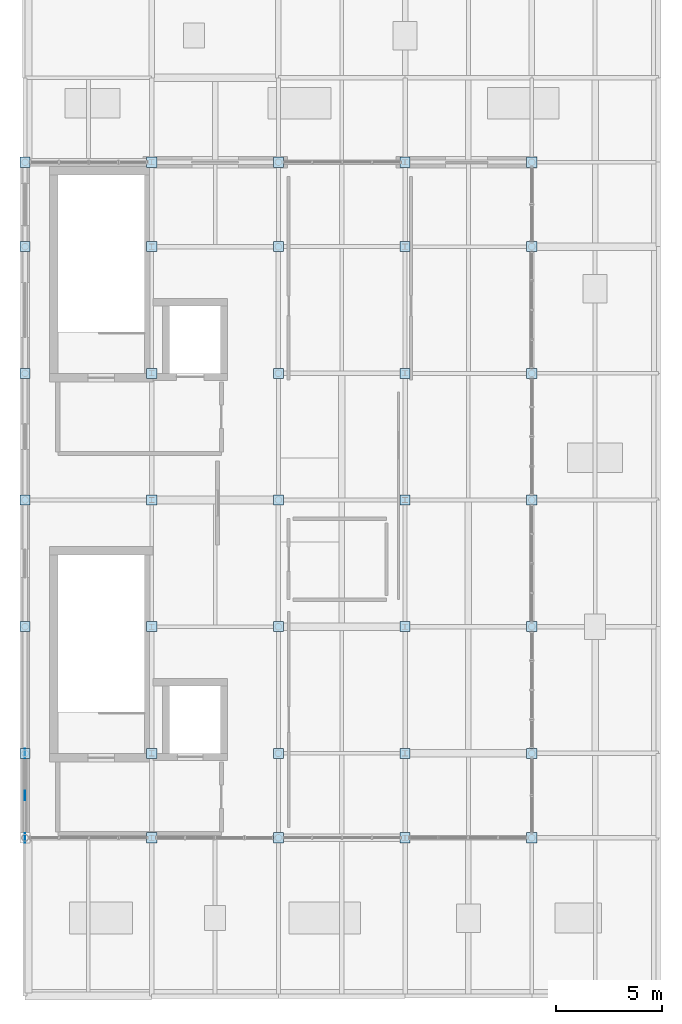
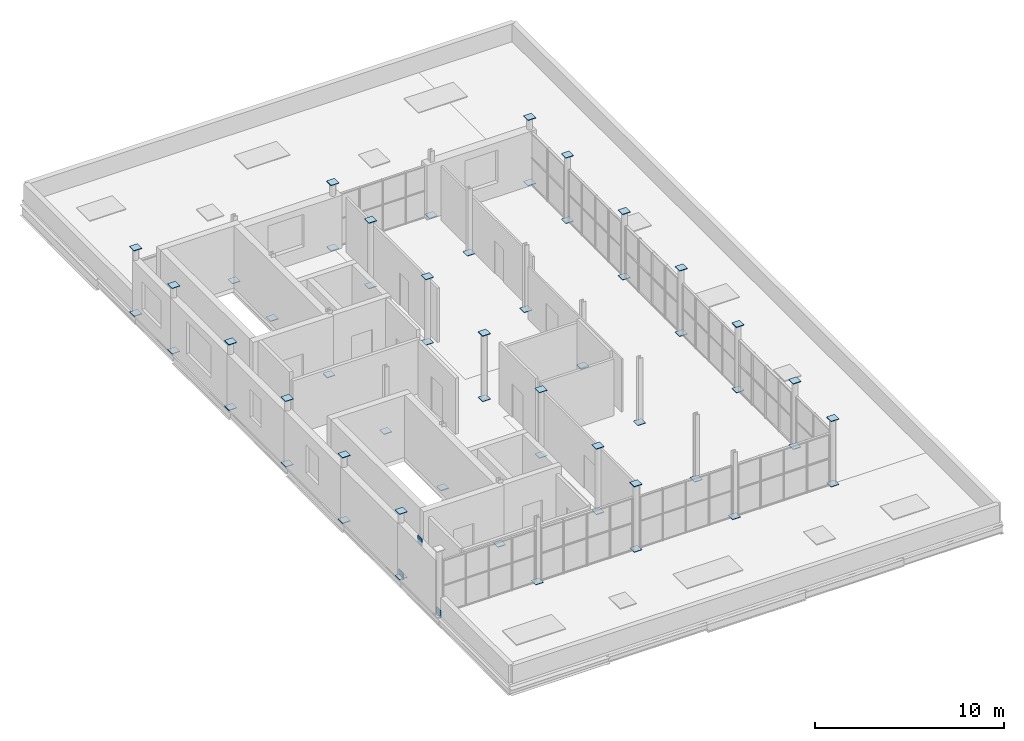
# One storey, part 24 of 27: 57 plates.
"""IFC4 building model written with IfcOpenShell, lengths in metres."""

from ifc_helpers import new_model, si_unit, direction, frame, origin, origin_2d, place, context, subcontext, project, spatial, rectangle, extrude, material, layer, layer_set, type_object, element, save


model = new_model("IFC4")

# Units and contexts
model_context = context("Model", 3, precision=1e-05, world=origin(), true_north=direction((0.0, 1.0)))
body_context = subcontext(model_context, "Body", "Model", "MODEL_VIEW")
ifc_project = project(units=[si_unit("LENGTHUNIT", "METRE"), si_unit("AREAUNIT", "SQUARE_METRE"), si_unit("VOLUMEUNIT", "CUBIC_METRE"), si_unit("PLANEANGLEUNIT", "RADIAN"), si_unit("MASSUNIT", "GRAM", prefix="KILO")], contexts=[model_context])

# Site, building, storey
site_placement = place(None, origin())
site = spatial("IfcSite", under=ifc_project, at=site_placement, CompositionType="ELEMENT")
building_placement = place(site_placement, origin())
building = spatial("IfcBuilding", under=site, at=building_placement, Name="Verrall Gate Interchange", CompositionType="ELEMENT")
storey_placement = place(building_placement, frame((0.0, 0.0, 28.60009765625)))
storey = spatial("IfcBuildingStorey", under=building, at=storey_placement, Name="L07", CompositionType="ELEMENT", Elevation=28.60009765625)

# Plates
ifc_material_1 = material(Name="Structural Steel CSA G40.21 350WT Cat 4", Category="steel")
ifc_layer_1 = layer(ifc_material_1, 0.0400390625)
ifc_layer_set_1 = layer_set([ifc_layer_1], Name="Structural Steel CSA G40.21 350WT Cat 4")
plate_type_1 = type_object("IfcPlateType", Name="BP-01 Base Plate 40", PredefinedType="USERDEFINED", material=ifc_layer_set_1)
for number, where, z_axis, x_axis, name in (
    (1, (6.0, 16.0, -0.02001953125), (0.0, 0.0, 1.0), (1.0, 0.0, 0.0), "L07 Hollow Column Transition Cap Plate 0161"),
    (2, (6.0, 16.0, 4.199951171875), (0.0, 0.0, 1.0), (1.0, 0.0, 0.0), "L07 Hollow Column Top Cap Plate 0162"),
    (3, (6.0, 22.0, -0.02001953125), (0.0, 0.0, 1.0), (1.0, 0.0, 0.0), "L07 Hollow Column Transition Cap Plate 0170"),
    (4, (6.0, 22.0, 4.199951171875), (0.0, 0.0, 1.0), (1.0, 0.0, 0.0), "L07 Hollow Column Top Cap Plate 0171"),
    (5, (6.0, 28.0, -0.02001953125), (0.0, 0.0, 1.0), (1.0, 0.0, 0.0), "L07 Hollow Column Transition Cap Plate 0179"),
    (6, (6.0, 28.0, 4.199951171875), (0.0, 0.0, 1.0), (1.0, 0.0, 0.0), "L07 Hollow Column Top Cap Plate 0180"),
    (7, (6.0, 34.0, -0.02001953125), (0.0, 0.0, 1.0), (1.0, 0.0, 0.0), "L07 Hollow Column Transition Cap Plate 0188"),
    (8, (6.0, 34.0, 4.199951171875), (0.0, 0.0, 1.0), (1.0, 0.0, 0.0), "L07 Hollow Column Top Cap Plate 0189"),
    (9, (6.0, 40.0, -0.02001953125), (0.0, 0.0, 1.0), (1.0, 0.0, 0.0), "L07 Hollow Column Transition Cap Plate 0197"),
    (10, (6.0, 40.0, 4.199951171875), (0.0, 0.0, 1.0), (1.0, 0.0, 0.0), "L07 Hollow Column Top Cap Plate 0198"),
    (11, (6.0, 44.0, -0.02001953125), (0.0, 0.0, 1.0), (1.0, 0.0, 0.0), "L07 Hollow Column Transition Cap Plate 0206"),
    (12, (6.0, 44.0, 4.199951171875), (0.0, 0.0, 1.0), (1.0, 0.0, 0.0), "L07 Hollow Column Top Cap Plate 0207"),
    (13, (12.0, 12.0, -0.02001953125), (0.0, 0.0, 1.0), (1.0, 0.0, 0.0), "L07 Hollow Column Transition Cap Plate 0269"),
    (14, (12.0, 16.0, -0.02001953125), (0.0, 0.0, 1.0), (1.0, 0.0, 0.0), "L07 Hollow Column Transition Cap Plate 0278"),
    (15, (12.0, 22.0, -0.02001953125), (0.0, 0.0, 1.0), (1.0, 0.0, 0.0), "L07 Hollow Column Transition Cap Plate 0287"),
    (16, (12.0, 28.0, -0.02001953125), (0.0, 0.0, 1.0), (1.0, 0.0, 0.0), "L07 Hollow Column Transition Cap Plate 0296"),
    (17, (12.0, 34.0, -0.02001953125), (0.0, 0.0, 1.0), (1.0, 0.0, 0.0), "L07 Hollow Column Transition Cap Plate 0305"),
    (18, (12.0, 40.0, -0.02001953125), (0.0, 0.0, 1.0), (1.0, 0.0, 0.0), "L07 Hollow Column Transition Cap Plate 0314"),
    (19, (12.0, 44.0, -0.02001953125), (0.0, 0.0, 1.0), (1.0, 0.0, 0.0), "L07 Hollow Column Transition Cap Plate 0323"),
    (20, (18.0, 12.0, -0.02001953125), (0.0, 0.0, 1.0), (1.0, 0.0, 0.0), "L07 Hollow Column Transition Cap Plate 0386"),
    (21, (18.0, 12.0, 4.199951171875), (0.0, 0.0, 1.0), (1.0, 0.0, 0.0), "L07 Hollow Column Top Cap Plate 0387"),
    (22, (18.0, 16.0, -0.02001953125), (0.0, 0.0, 1.0), (1.0, 0.0, 0.0), "L07 Hollow Column Transition Cap Plate 0395"),
    (23, (18.0, 16.0, 4.199951171875), (0.0, 0.0, 1.0), (1.0, 0.0, 0.0), "L07 Hollow Column Top Cap Plate 0396"),
    (24, (18.0, 22.0, -0.02001953125), (0.0, 0.0, 1.0), (1.0, 0.0, 0.0), "L07 Hollow Column Transition Cap Plate 0404"),
    (25, (18.0, 22.0, 4.199951171875), (0.0, 0.0, 1.0), (1.0, 0.0, 0.0), "L07 Hollow Column Top Cap Plate 0405"),
    (26, (18.0, 28.0, -0.02001953125), (0.0, 0.0, 1.0), (1.0, 0.0, 0.0), "L07 Hollow Column Transition Cap Plate 0413"),
    (27, (18.0, 28.0, 4.199951171875), (0.0, 0.0, 1.0), (1.0, 0.0, 0.0), "L07 Hollow Column Top Cap Plate 0414"),
    (28, (18.0, 34.0, -0.02001953125), (0.0, 0.0, 1.0), (1.0, 0.0, 0.0), "L07 Hollow Column Transition Cap Plate 0422"),
    (29, (18.0, 34.0, 4.199951171875), (0.0, 0.0, 1.0), (1.0, 0.0, 0.0), "L07 Hollow Column Top Cap Plate 0423"),
    (30, (18.0, 40.0, -0.02001953125), (0.0, 0.0, 1.0), (1.0, 0.0, 0.0), "L07 Hollow Column Transition Cap Plate 0431"),
    (31, (18.0, 40.0, 4.199951171875), (0.0, 0.0, 1.0), (1.0, 0.0, 0.0), "L07 Hollow Column Top Cap Plate 0432"),
    (32, (18.0, 44.0, -0.02001953125), (0.0, 0.0, 1.0), (1.0, 0.0, 0.0), "L07 Hollow Column Transition Cap Plate 0440"),
    (33, (18.0, 44.0, 4.199951171875), (0.0, 0.0, 1.0), (1.0, 0.0, 0.0), "L07 Hollow Column Top Cap Plate 0441"),
    (34, (24.0, 12.0, -0.02001953125), (0.0, 0.0, 1.0), (1.0, 0.0, 0.0), "L07 Hollow Column Transition Cap Plate 0503"),
    (35, (24.0, 16.0, -0.02001953125), (0.0, 0.0, 1.0), (1.0, 0.0, 0.0), "L07 Hollow Column Transition Cap Plate 0512"),
    (36, (24.0, 22.0, -0.02001953125), (0.0, 0.0, 1.0), (1.0, 0.0, 0.0), "L07 Hollow Column Transition Cap Plate 0521"),
    (37, (24.0, 28.0, -0.02001953125), (0.0, 0.0, 1.0), (1.0, 0.0, 0.0), "L07 Hollow Column Transition Cap Plate 0530"),
    (38, (24.0, 34.0, -0.02001953125), (0.0, 0.0, 1.0), (1.0, 0.0, 0.0), "L07 Hollow Column Transition Cap Plate 0539"),
    (39, (24.0, 40.0, -0.02001953125), (0.0, 0.0, 1.0), (1.0, 0.0, 0.0), "L07 Hollow Column Transition Cap Plate 0548"),
    (40, (24.0, 44.0, -0.02001953125), (0.0, 0.0, 1.0), (1.0, 0.0, 0.0), "L07 Hollow Column Transition Cap Plate 0557"),
    (41, (30.0, 12.0, -0.02001953125), (0.0, 0.0, 1.0), (1.0, 0.0, 0.0), "L07 Hollow Column Transition Cap Plate 0620"),
    (42, (30.0, 12.0, 4.199951171875), (0.0, 0.0, 1.0), (1.0, 0.0, 0.0), "L07 Hollow Column Top Cap Plate 0621"),
    (43, (30.0, 16.0, -0.02001953125), (0.0, 0.0, 1.0), (1.0, 0.0, 0.0), "L07 Hollow Column Transition Cap Plate 0629"),
    (44, (30.0, 16.0, 4.199951171875), (0.0, 0.0, 1.0), (1.0, 0.0, 0.0), "L07 Hollow Column Top Cap Plate 0630"),
    (45, (30.0, 22.0, -0.02001953125), (0.0, 0.0, 1.0), (1.0, 0.0, 0.0), "L07 Hollow Column Transition Cap Plate 0638"),
    (46, (30.0, 22.0, 4.199951171875), (0.0, 0.0, 1.0), (1.0, 0.0, 0.0), "L07 Hollow Column Top Cap Plate 0639"),
    (47, (30.0, 28.0, -0.02001953125), (0.0, 0.0, 1.0), (1.0, 0.0, 0.0), "L07 Hollow Column Transition Cap Plate 0647"),
    (48, (30.0, 28.0, 4.199951171875), (0.0, 0.0, 1.0), (1.0, 0.0, 0.0), "L07 Hollow Column Top Cap Plate 0648"),
    (49, (30.0, 34.0, -0.02001953125), (0.0, 0.0, 1.0), (1.0, 0.0, 0.0), "L07 Hollow Column Transition Cap Plate 0656"),
    (50, (30.0, 34.0, 4.199951171875), (0.0, 0.0, 1.0), (1.0, 0.0, 0.0), "L07 Hollow Column Top Cap Plate 0657"),
    (51, (30.0, 40.0, -0.02001953125), (0.0, 0.0, 1.0), (1.0, 0.0, 0.0), "L07 Hollow Column Transition Cap Plate 0665"),
    (52, (30.0, 40.0, 4.199951171875), (0.0, 0.0, 1.0), (1.0, 0.0, 0.0), "L07 Hollow Column Top Cap Plate 0666"),
    (53, (30.0, 44.0, -0.02001953125), (0.0, 0.0, 1.0), (1.0, 0.0, 0.0), "L07 Hollow Column Transition Cap Plate 0674"),
    (54, (30.0, 44.0, 4.199951171875), (0.0, 0.0, 1.0), (1.0, 0.0, 0.0), "L07 Hollow Column Top Cap Plate 0675"),
):
    element("IfcPlate", number, at=place(storey_placement, frame(where, z_axis=z_axis, x_axis=x_axis)), inside=storey, type_object=plate_type_1, Name=name, ObjectType="BASE_PLATE", PredefinedType="USERDEFINED", context=body_context, shape_type="SweptSolid", body=[
        extrude(rectangle(XDim=0.47998046875, YDim=0.47998046875, at=origin_2d()), origin(), (0.0, 0.0, 1.0), 0.0400390625),
    ])
ifc_material_2 = material(Name="Structural Steel CSA G40.21 350WT Cat 4", Category="steel")
ifc_layer_2 = layer(ifc_material_2, 0.030029296875)
ifc_layer_set_2 = layer_set([ifc_layer_2], Name="Structural Steel CSA G40.21 350WT Cat 4")
plate_type_2 = type_object("IfcPlateType", Name="GP-02 Gusset Plate 30", PredefinedType="SHEET", material=ifc_layer_set_2)
for number, where, z_axis, x_axis, name in (
    (55, (6.0, 12.0, -0.0849609375), (0.0, 0.0, 1.0), (1.0, 0.0, 0.0), "Chevron Brace Gusset Node CBF4-L07-BA"),
    (56, (6.0, 16.0, -0.0849609375), (0.0, 0.0, 1.0), (1.0, 0.0, 0.0), "Chevron Brace Gusset Node CBF4-L07-BB"),
    (57, (6.0, 14.0, 3.3046875), (0.0, 0.0, 1.0), (1.0, 0.0, 0.0), "Chevron Brace Gusset Node CBF4-L07-AP"),
):
    element("IfcPlate", number, at=place(storey_placement, frame(where, z_axis=z_axis, x_axis=x_axis)), inside=storey, type_object=plate_type_2, Name=name, PredefinedType="SHEET", context=body_context, shape_type="SweptSolid", body=[
        extrude(rectangle(XDim=0.030029296875, YDim=0.449951171875, at=origin_2d()), origin(), (0.0, 0.0, 1.0), 0.449951171875),
    ])

save(model, "model.ifc")
